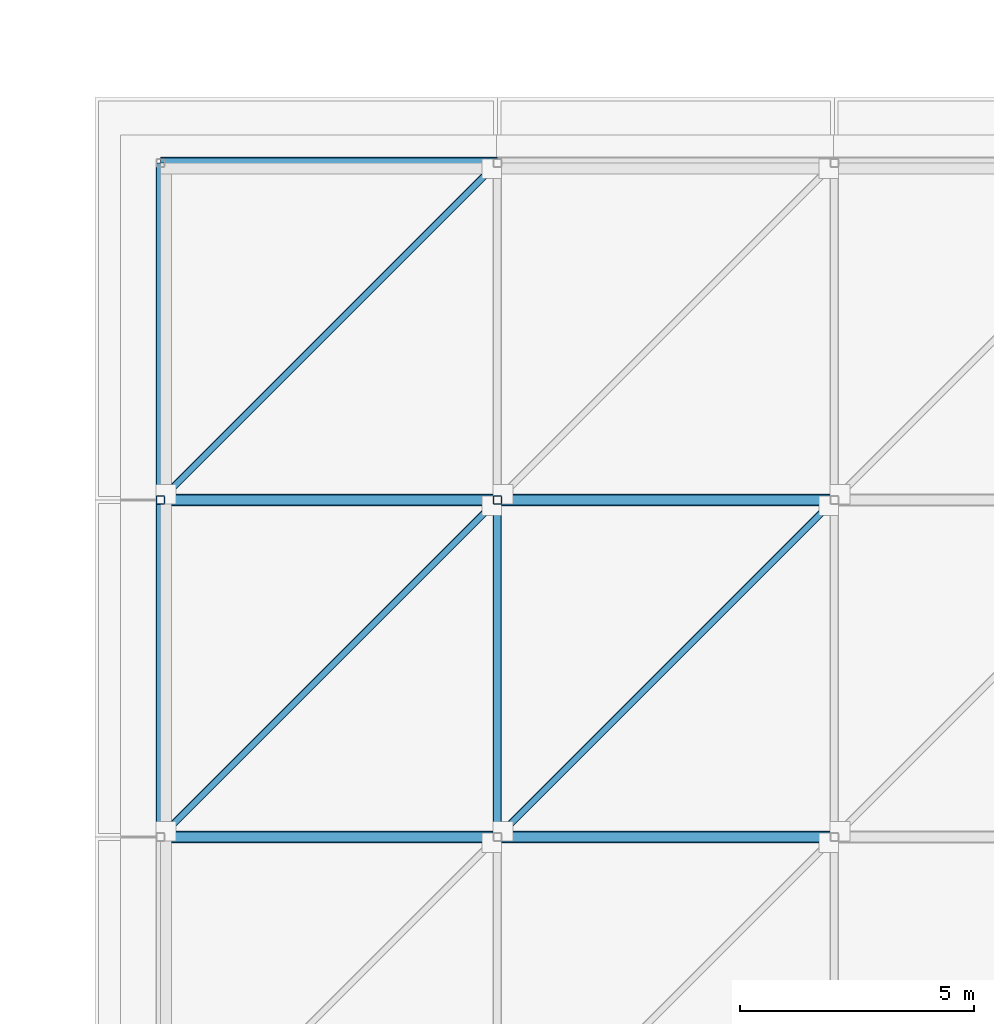
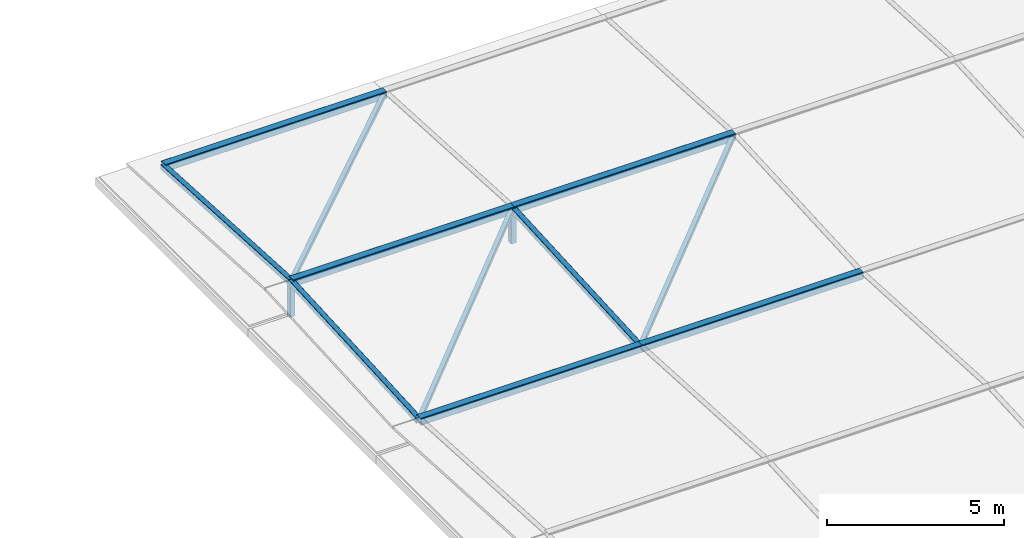
# One storey, part 4 of 15: 13 members.
"""IFC4 building model written with IfcOpenShell, lengths in metres."""

from ifc_helpers import new_model, si_unit, direction, frame, origin, origin_2d, place, context, subcontext, project, spatial, hollow_rectangle, extrude, material, material_profile, profile_set, type_object, element, save


model = new_model("IFC4")

# Units and contexts
model_context = context("Model", 3, precision=1e-05, world=origin(), true_north=direction((0.0, 1.0)))
body_context = subcontext(model_context, "Body", "Model", "MODEL_VIEW")
ifc_project = project(units=[si_unit("LENGTHUNIT", "METRE"), si_unit("AREAUNIT", "SQUARE_METRE"), si_unit("VOLUMEUNIT", "CUBIC_METRE"), si_unit("PLANEANGLEUNIT", "RADIAN"), si_unit("MASSUNIT", "GRAM", prefix="KILO")], contexts=[model_context])

# Site, building, storey
site_placement = place(None, origin())
site = spatial("IfcSite", under=ifc_project, at=site_placement, CompositionType="ELEMENT")
building_placement = place(site_placement, origin())
building = spatial("IfcBuilding", under=site, at=building_placement, Name="Kavelor Marine Aquarium", CompositionType="ELEMENT")
storey_placement = place(building_placement, frame((0.0, 0.0, 25.56005859375)))
storey = spatial("IfcBuildingStorey", under=building, at=storey_placement, Name="RF", CompositionType="ELEMENT", Elevation=25.56005859375)

# Members
ifc_material_1 = material(Name="Steel S355", Category="steel")
ifc_material_profile_1 = material_profile(ifc_material_1, hollow_rectangle(XDim=0.25, YDim=0.25, WallThickness=0.010009765625, InnerFilletRadius=0.014892578125, OuterFilletRadius=0.02490234375, at=origin_2d()), Name="SHS 250x250x10.0")
ifc_profile_set_1 = profile_set([ifc_material_profile_1], Name="Steel S355")
member_type_1 = type_object("IfcMemberType", Name="ST-PV1", PredefinedType="CHORD", material=ifc_profile_set_1)
for number, where, z_axis, x_axis, name in (
    (1, (118.39990234375, 89.199951171875, 0.75), (1.0, 0.0, 0.0), (0.0, 1.0, 0.0), "pv:x1:16_12"),
    (2, (118.39990234375, 96.39990234375, 1.14990234375), (1.0, 0.0, 0.0), (0.0, 1.0, 0.0), "pv:x1:16_13"),
    (3, (118.39990234375, 103.60009765625, 0.75), (1.0, 0.0, 0.0), (0.0, 1.0, 0.0), "pv:x2:16_13"),
):
    element("IfcMember", number, at=place(storey_placement, frame(where, z_axis=z_axis, x_axis=x_axis)), inside=storey, type_object=member_type_1, Name=name, PredefinedType="CHORD", context=body_context, shape_type="SweptSolid", body=[
        extrude(hollow_rectangle(XDim=0.25, YDim=0.25, WallThickness=0.010009765625, InnerFilletRadius=0.014892578125, OuterFilletRadius=0.02490234375, at=origin_2d()), origin(), (0.0, 0.0, 1.0), 7.2001953125),
    ])
for number, where, z_axis, x_axis, name in (
    (4, (125.60009765625, 89.199951171875, 0.75), (1.0, 0.0, 0.0), (0.0, 1.0, 0.0), "pv:x1:17_12"),
    (5, (125.60009765625, 96.39990234375, 1.14990234375), (1.0, 0.0, 0.0), (0.0, 1.0, 0.0), "pv:x1:17_13"),
):
    element("IfcMember", number, at=place(storey_placement, frame(where, z_axis=z_axis, x_axis=x_axis)), inside=storey, type_object=member_type_1, Name=name, PredefinedType="CHORD", context=body_context, shape_type="SweptSolid", body=[
        extrude(hollow_rectangle(XDim=0.25, YDim=0.25, WallThickness=0.010009765625, InnerFilletRadius=0.014892578125, OuterFilletRadius=0.02490234375, at=origin_2d()), origin(), (0.0, 0.0, 1.0), 7.199951171875),
    ])
ifc_material_2 = material(Name="Steel S355", Category="steel")
ifc_material_profile_2 = material_profile(ifc_material_2, hollow_rectangle(XDim=0.179931640625, YDim=0.179931640625, WallThickness=0.008056640625, InnerFilletRadius=0.011962890625, OuterFilletRadius=0.02001953125, at=origin_2d()), Name="SHS 180x180x8.0")
ifc_profile_set_2 = profile_set([ifc_material_profile_2], Name="Steel S355")
member_type_2 = type_object("IfcMemberType", Name="ST-PV2", PredefinedType="CHORD", material=ifc_profile_set_2)
for number, where, z_axis, x_axis, name in (
    (6, (118.39990234375, 96.39990234375, 0.0), (0.0, 0.0, 1.0), (1.0, 0.0, 0.0), "pv:p:16_13"),
    (7, (125.60009765625, 96.39990234375, 0.0), (0.0, 0.0, 1.0), (1.0, 0.0, 0.0), "pv:p:17_13"),
):
    element("IfcMember", number, at=place(storey_placement, frame(where, z_axis=z_axis, x_axis=x_axis)), inside=storey, type_object=member_type_2, Name=name, PredefinedType="CHORD", context=body_context, shape_type="SweptSolid", body=[
        extrude(hollow_rectangle(XDim=0.179931640625, YDim=0.179931640625, WallThickness=0.008056640625, InnerFilletRadius=0.011962890625, OuterFilletRadius=0.02001953125, at=origin_2d()), origin(), (0.0, 0.0, 1.0), 1.14990234375),
    ])
for number, where, z_axis, x_axis, name in (
    (8, (118.39990234375, 89.199951171875, 0.75), (0.0, 0.998461082335, 0.055456893726), (-1.0, 0.0, 0.0), "pv:r1:16_12"),
    (9, (125.60009765625, 89.199951171875, 0.75), (0.0, 0.998461082335, 0.055456893726), (-1.0, 0.0, 0.0), "pv:r2:16_12"),
):
    element("IfcMember", number, at=place(storey_placement, frame(where, z_axis=z_axis, x_axis=x_axis)), inside=storey, type_object=member_type_2, Name=name, PredefinedType="CHORD", context=body_context, shape_type="SweptSolid", body=[
        extrude(hollow_rectangle(XDim=0.179931640625, YDim=0.179931640625, WallThickness=0.008056640625, InnerFilletRadius=0.011962890625, OuterFilletRadius=0.02001953125, at=origin_2d()), origin(), (0.0, 0.0, 1.0), 7.2109375),
    ])
member_1_placement = place(storey_placement, frame((118.39990234375, 96.39990234375, 1.14990234375), z_axis=(0.0, 0.998461186455, -0.055455019104), x_axis=(-1.0, 0.0, 0.0)))
element("IfcMember", 10, at=member_1_placement, inside=storey, type_object=member_type_2, Name="pv:r1:16_13", PredefinedType="CHORD", context=body_context, shape_type="SweptSolid", body=[
    extrude(hollow_rectangle(XDim=0.179931640625, YDim=0.179931640625, WallThickness=0.008056640625, InnerFilletRadius=0.011962890625, OuterFilletRadius=0.02001953125, at=origin_2d()), origin(), (0.0, 0.0, 1.0), 7.211181640625),
])
ifc_material_3 = material(Name="Steel S355", Category="steel")
ifc_material_profile_3 = material_profile(ifc_material_3, hollow_rectangle(XDim=0.14990234375, YDim=0.14990234375, WallThickness=0.00634765625, InnerFilletRadius=0.009521484375, OuterFilletRadius=0.015869140625, at=origin_2d()), Name="SHS 150x150x6.3")
ifc_profile_set_3 = profile_set([ifc_material_profile_3], Name="Steel S355")
member_type_3 = type_object("IfcMemberType", Name="ST-PV3", PredefinedType="BRACE", material=ifc_profile_set_3)
member_2_placement = place(storey_placement, frame((118.39990234375, 89.199951171875, 0.75), z_axis=(0.706574060591, 0.706550102431, 0.039243466406), x_axis=(-0.70709479277, 0.7071187694, 0.0)))
element("IfcMember", 11, at=member_2_placement, inside=storey, type_object=member_type_3, Name="pv:br:16_12", PredefinedType="BRACE", context=body_context, shape_type="SweptSolid", body=[
    extrude(hollow_rectangle(XDim=0.14990234375, YDim=0.14990234375, WallThickness=0.00634765625, InnerFilletRadius=0.009521484375, OuterFilletRadius=0.015869140625, at=origin_2d()), origin(), (0.0, 0.0, 1.0), 10.190185546875),
])
member_3_placement = place(storey_placement, frame((118.39990234375, 96.39990234375, 1.14990234375), z_axis=(0.70656210006, 0.70656210006, -0.039242802112), x_axis=(-0.707106781187, 0.707106781187, 0.0)))
element("IfcMember", 12, at=member_3_placement, inside=storey, type_object=member_type_3, Name="pv:br:16_13", PredefinedType="BRACE", context=body_context, shape_type="SweptSolid", body=[
    extrude(hollow_rectangle(XDim=0.14990234375, YDim=0.14990234375, WallThickness=0.00634765625, InnerFilletRadius=0.009521484375, OuterFilletRadius=0.015869140625, at=origin_2d()), origin(), (0.0, 0.0, 1.0), 10.1904296875),
])
member_4_placement = place(storey_placement, frame((125.60009765625, 89.199951171875, 0.75), z_axis=(0.706562063163, 0.706562063163, 0.039244130733), x_axis=(-0.707106781187, 0.707106781187, 0.0)))
element("IfcMember", 13, at=member_4_placement, inside=storey, type_object=member_type_3, Name="pv:br:17_12", PredefinedType="BRACE", context=body_context, shape_type="SweptSolid", body=[
    extrude(hollow_rectangle(XDim=0.14990234375, YDim=0.14990234375, WallThickness=0.00634765625, InnerFilletRadius=0.009521484375, OuterFilletRadius=0.015869140625, at=origin_2d()), origin(), (0.0, 0.0, 1.0), 10.190185546875),
])

save(model, "model.ifc")
